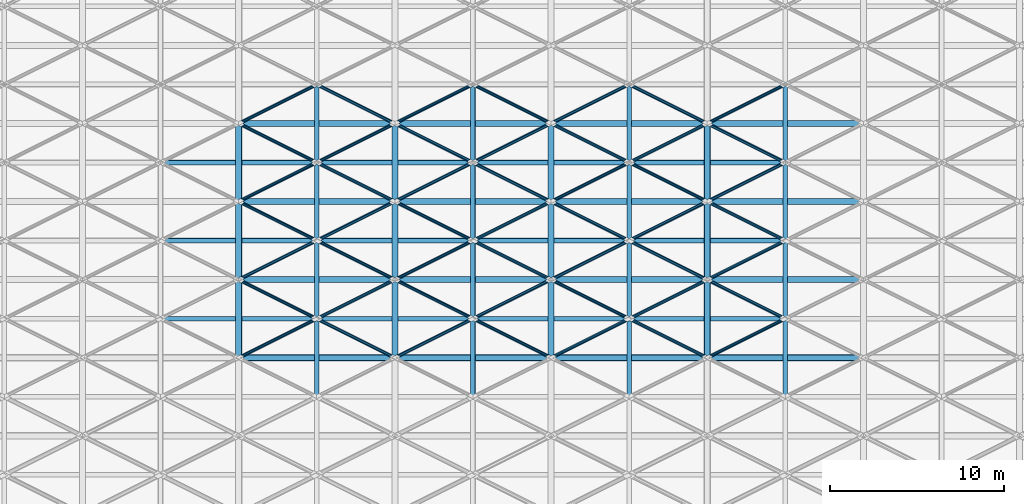
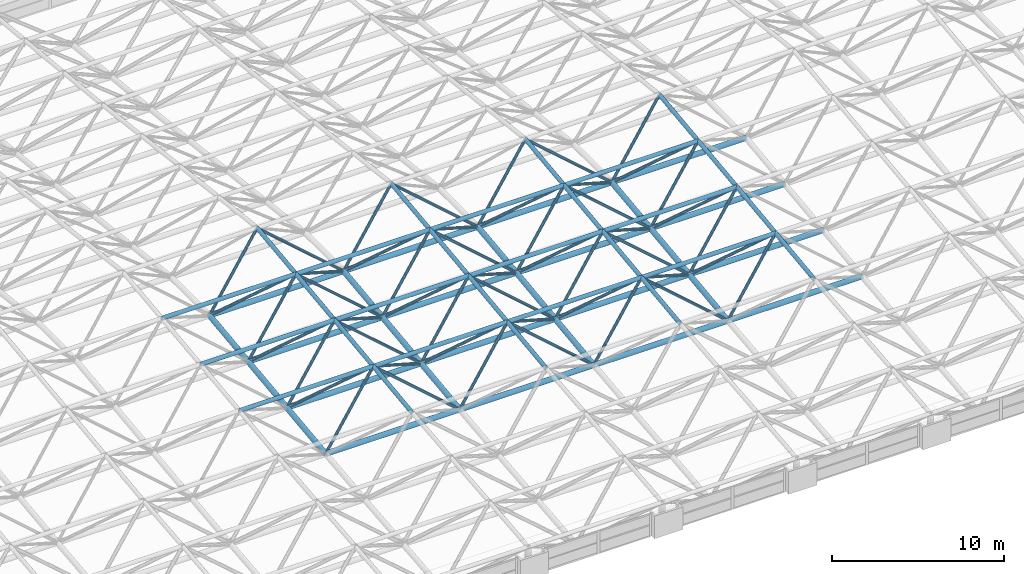
# One storey, part 7 of 53: 105 members.
"""IFC4 building model written with IfcOpenShell, lengths in metres."""

from ifc_helpers import new_model, si_unit, direction, frame, origin, origin_2d, place, context, subcontext, project, spatial, hollow_circle, extrude, material, material_profile, profile_set, type_object, element, save


model = new_model("IFC4")

# Units and contexts
model_context = context("Model", 3, precision=1e-05, world=origin(), true_north=direction((0.0, 1.0)))
body_context = subcontext(model_context, "Body", "Model", "MODEL_VIEW")
ifc_project = project(units=[si_unit("LENGTHUNIT", "METRE"), si_unit("AREAUNIT", "SQUARE_METRE"), si_unit("VOLUMEUNIT", "CUBIC_METRE"), si_unit("PLANEANGLEUNIT", "RADIAN"), si_unit("MASSUNIT", "GRAM", prefix="KILO")], contexts=[model_context])

# Site, building, storey
site_placement = place(None, origin())
site = spatial("IfcSite", under=ifc_project, at=site_placement, CompositionType="ELEMENT")
building_placement = place(site_placement, origin())
building = spatial("IfcBuilding", under=site, at=building_placement, Name="Aravalli Gate Trade Fair Centre", CompositionType="ELEMENT")
storey_placement = place(building_placement, frame((0.0, 0.0, 25.199951171875)))
storey = spatial("IfcBuildingStorey", under=building, at=storey_placement, Name="ROOF LEVEL 2", CompositionType="ELEMENT", Elevation=25.199951171875)

# Members
ifc_material = material(Name="Steel E350", Category="steel")
ifc_material_profile_1 = material_profile(ifc_material, hollow_circle(Radius=0.096923828125, WallThickness=0.00634765625, at=origin_2d()), Name="CHS 193.7x6.3")
ifc_profile_set_1 = profile_set([ifc_material_profile_1], Name="Steel E350")
member_type_1 = type_object("IfcMemberType", Name="CHS 193.7x6.3", PredefinedType="BRACE", material=ifc_profile_set_1)
for number, where, z_axis, x_axis, name in (
    (1, (42.0, 64.0, 3.699951171875), (0.786485839543, 0.393242919772, -0.476235267749), (-0.4472135955, 0.894427191, 0.0), "Space frame web diagonal D2A"),
    (2, (51.0, 64.0, 3.699951171875), (0.786485839543, 0.393242919772, -0.476235267749), (-0.4472135955, 0.894427191, 0.0), "Space frame web diagonal D2A"),
    (3, (60.0, 64.0, 3.699951171875), (0.786485839543, 0.393242919772, -0.476235267749), (-0.4472135955, 0.894427191, 0.0), "Space frame web diagonal D2A"),
    (4, (42.0, 64.0, 3.699951171875), (-0.786485839543, 0.393242919772, -0.476235267749), (-0.4472135955, -0.894427191, 0.0), "Space frame web diagonal D2B"),
    (5, (51.0, 64.0, 3.699951171875), (-0.786485839543, 0.393242919772, -0.476235267749), (-0.4472135955, -0.894427191, 0.0), "Space frame web diagonal D2B"),
    (6, (60.0, 64.0, 3.699951171875), (-0.786485839543, 0.393242919772, -0.476235267749), (-0.4472135955, -0.894427191, 0.0), "Space frame web diagonal D2B"),
    (7, (69.0, 64.0, 3.699951171875), (-0.786485839543, 0.393242919772, -0.476235267749), (-0.4472135955, -0.894427191, 0.0), "Space frame web diagonal D2B"),
):
    element("IfcMember", number, at=place(storey_placement, frame(where, z_axis=z_axis, x_axis=x_axis)), inside=storey, type_object=member_type_1, Name=name, PredefinedType="BRACE", context=body_context, shape_type="SweptSolid", body=[
        extrude(hollow_circle(Radius=0.096923828125, WallThickness=0.00634765625, at=origin_2d()), origin(), (0.0, 0.0, 1.0), 5.7216796875),
    ])
for number, where, z_axis, x_axis, name in (
    (8, (42.0, 64.0, 3.699951171875), (0.749609832162, -0.374804916081, -0.545533110277), (0.4472135955, 0.894427191, 0.0), "Space frame web diagonal D2C"),
    (9, (51.0, 64.0, 3.699951171875), (0.749609832162, -0.374804916081, -0.545533110277), (0.4472135955, 0.894427191, 0.0), "Space frame web diagonal D2C"),
    (10, (60.0, 64.0, 3.699951171875), (0.749609832162, -0.374804916081, -0.545533110277), (0.4472135955, 0.894427191, 0.0), "Space frame web diagonal D2C"),
    (11, (42.0, 68.5, 4.25), (0.749609832162, -0.374804916081, -0.545533110277), (0.4472135955, 0.894427191, 0.0), "Space frame web diagonal D2C"),
    (12, (51.0, 68.5, 4.25), (0.749609832162, -0.374804916081, -0.545533110277), (0.4472135955, 0.894427191, 0.0), "Space frame web diagonal D2C"),
    (13, (60.0, 68.5, 4.25), (0.749609832162, -0.374804916081, -0.545533110277), (0.4472135955, 0.894427191, 0.0), "Space frame web diagonal D2C"),
    (14, (42.0, 64.0, 3.699951171875), (-0.749609832162, -0.374804916081, -0.545533110277), (0.4472135955, -0.894427191, 0.0), "Space frame web diagonal D2D"),
    (15, (51.0, 64.0, 3.699951171875), (-0.749609832162, -0.374804916081, -0.545533110277), (0.4472135955, -0.894427191, 0.0), "Space frame web diagonal D2D"),
    (16, (60.0, 64.0, 3.699951171875), (-0.749609832162, -0.374804916081, -0.545533110277), (0.4472135955, -0.894427191, 0.0), "Space frame web diagonal D2D"),
    (17, (69.0, 64.0, 3.699951171875), (-0.749609832162, -0.374804916081, -0.545533110277), (0.4472135955, -0.894427191, 0.0), "Space frame web diagonal D2D"),
    (18, (42.0, 68.5, 4.25), (-0.749609832162, -0.374804916081, -0.545533110277), (0.4472135955, -0.894427191, 0.0), "Space frame web diagonal D2D"),
    (19, (51.0, 68.5, 4.25), (-0.749609832162, -0.374804916081, -0.545533110277), (0.4472135955, -0.894427191, 0.0), "Space frame web diagonal D2D"),
    (20, (60.0, 68.5, 4.25), (-0.749609832162, -0.374804916081, -0.545533110277), (0.4472135955, -0.894427191, 0.0), "Space frame web diagonal D2D"),
    (21, (69.0, 68.5, 4.25), (-0.749609832162, -0.374804916081, -0.545533110277), (0.4472135955, -0.894427191, 0.0), "Space frame web diagonal D2D"),
):
    element("IfcMember", number, at=place(storey_placement, frame(where, z_axis=z_axis, x_axis=x_axis)), inside=storey, type_object=member_type_1, Name=name, PredefinedType="BRACE", context=body_context, shape_type="SweptSolid", body=[
        extrude(hollow_circle(Radius=0.096923828125, WallThickness=0.00634765625, at=origin_2d()), origin(), (0.0, 0.0, 1.0), 6.003173828125),
    ])
for number, where, z_axis, x_axis, name in (
    (22, (42.0, 68.5, 4.25), (0.786150117051, 0.393075058526, -0.476927658901), (-0.4472135955, 0.894427191, 0.0), "Space frame web diagonal D3A"),
    (23, (51.0, 68.5, 4.25), (0.786150117051, 0.393075058526, -0.476927658901), (-0.4472135955, 0.894427191, 0.0), "Space frame web diagonal D3A"),
    (24, (60.0, 68.5, 4.25), (0.786150117051, 0.393075058526, -0.476927658901), (-0.4472135955, 0.894427191, 0.0), "Space frame web diagonal D3A"),
    (25, (42.0, 73.0, 4.7900390625), (0.786150117051, 0.393075058526, -0.476927658901), (-0.4472135955, 0.894427191, 0.0), "Space frame web diagonal D3A"),
    (26, (51.0, 73.0, 4.7900390625), (0.786150117051, 0.393075058526, -0.476927658901), (-0.4472135955, 0.894427191, 0.0), "Space frame web diagonal D3A"),
    (27, (60.0, 73.0, 4.7900390625), (0.786150117051, 0.393075058526, -0.476927658901), (-0.4472135955, 0.894427191, 0.0), "Space frame web diagonal D3A"),
    (28, (42.0, 68.5, 4.25), (-0.786150117051, 0.393075058526, -0.476927658901), (-0.4472135955, -0.894427191, 0.0), "Space frame web diagonal D3B"),
    (29, (51.0, 68.5, 4.25), (-0.786150117051, 0.393075058526, -0.476927658901), (-0.4472135955, -0.894427191, 0.0), "Space frame web diagonal D3B"),
    (30, (60.0, 68.5, 4.25), (-0.786150117051, 0.393075058526, -0.476927658901), (-0.4472135955, -0.894427191, 0.0), "Space frame web diagonal D3B"),
    (31, (69.0, 68.5, 4.25), (-0.786150117051, 0.393075058526, -0.476927658901), (-0.4472135955, -0.894427191, 0.0), "Space frame web diagonal D3B"),
    (32, (42.0, 73.0, 4.7900390625), (-0.786150117051, 0.393075058526, -0.476927658901), (-0.4472135955, -0.894427191, 0.0), "Space frame web diagonal D3B"),
    (33, (51.0, 73.0, 4.7900390625), (-0.786150117051, 0.393075058526, -0.476927658901), (-0.4472135955, -0.894427191, 0.0), "Space frame web diagonal D3B"),
    (34, (60.0, 73.0, 4.7900390625), (-0.786150117051, 0.393075058526, -0.476927658901), (-0.4472135955, -0.894427191, 0.0), "Space frame web diagonal D3B"),
    (35, (69.0, 73.0, 4.7900390625), (-0.786150117051, 0.393075058526, -0.476927658901), (-0.4472135955, -0.894427191, 0.0), "Space frame web diagonal D3B"),
):
    element("IfcMember", number, at=place(storey_placement, frame(where, z_axis=z_axis, x_axis=x_axis)), inside=storey, type_object=member_type_1, Name=name, PredefinedType="BRACE", context=body_context, shape_type="SweptSolid", body=[
        extrude(hollow_circle(Radius=0.096923828125, WallThickness=0.00634765625, at=origin_2d()), origin(), (0.0, 0.0, 1.0), 5.72412109375),
    ])
for number, where, z_axis, x_axis, name in (
    (36, (42.0, 73.0, 4.7900390625), (0.74994242606, -0.37497121303, -0.544961417895), (0.4472135955, 0.894427191, 0.0), "Space frame web diagonal D3C"),
    (37, (51.0, 73.0, 4.7900390625), (0.74994242606, -0.37497121303, -0.544961417895), (0.4472135955, 0.894427191, 0.0), "Space frame web diagonal D3C"),
    (38, (60.0, 73.0, 4.7900390625), (0.74994242606, -0.37497121303, -0.544961417895), (0.4472135955, 0.894427191, 0.0), "Space frame web diagonal D3C"),
    (39, (42.0, 77.5, 5.330078125), (0.74994242606, -0.37497121303, -0.544961417895), (0.4472135955, 0.894427191, 0.0), "Space frame web diagonal D3C"),
    (40, (51.0, 77.5, 5.330078125), (0.74994242606, -0.37497121303, -0.544961417895), (0.4472135955, 0.894427191, 0.0), "Space frame web diagonal D3C"),
    (41, (60.0, 77.5, 5.330078125), (0.74994242606, -0.37497121303, -0.544961417895), (0.4472135955, 0.894427191, 0.0), "Space frame web diagonal D3C"),
    (42, (42.0, 73.0, 4.7900390625), (-0.74994242606, -0.37497121303, -0.544961417895), (0.4472135955, -0.894427191, 0.0), "Space frame web diagonal D3D"),
    (43, (51.0, 73.0, 4.7900390625), (-0.74994242606, -0.37497121303, -0.544961417895), (0.4472135955, -0.894427191, 0.0), "Space frame web diagonal D3D"),
    (44, (60.0, 73.0, 4.7900390625), (-0.74994242606, -0.37497121303, -0.544961417895), (0.4472135955, -0.894427191, 0.0), "Space frame web diagonal D3D"),
    (45, (69.0, 73.0, 4.7900390625), (-0.74994242606, -0.37497121303, -0.544961417895), (0.4472135955, -0.894427191, 0.0), "Space frame web diagonal D3D"),
    (46, (42.0, 77.5, 5.330078125), (-0.74994242606, -0.37497121303, -0.544961417895), (0.4472135955, -0.894427191, 0.0), "Space frame web diagonal D3D"),
    (47, (51.0, 77.5, 5.330078125), (-0.74994242606, -0.37497121303, -0.544961417895), (0.4472135955, -0.894427191, 0.0), "Space frame web diagonal D3D"),
    (48, (60.0, 77.5, 5.330078125), (-0.74994242606, -0.37497121303, -0.544961417895), (0.4472135955, -0.894427191, 0.0), "Space frame web diagonal D3D"),
    (49, (69.0, 77.5, 5.330078125), (-0.74994242606, -0.37497121303, -0.544961417895), (0.4472135955, -0.894427191, 0.0), "Space frame web diagonal D3D"),
):
    element("IfcMember", number, at=place(storey_placement, frame(where, z_axis=z_axis, x_axis=x_axis)), inside=storey, type_object=member_type_1, Name=name, PredefinedType="BRACE", context=body_context, shape_type="SweptSolid", body=[
        extrude(hollow_circle(Radius=0.096923828125, WallThickness=0.00634765625, at=origin_2d()), origin(), (0.0, 0.0, 1.0), 6.00048828125),
    ])
ifc_material_profile_2 = material_profile(ifc_material, hollow_circle(Radius=0.136474609375, WallThickness=0.010009765625, at=origin_2d()), Name="CHS 273.1x10")
ifc_profile_set_2 = profile_set([ifc_material_profile_2], Name="Steel E350")
member_type_2 = type_object("IfcMemberType", Name="CHS 273.1x10", PredefinedType="CHORD", material=ifc_profile_set_2)
for number, where, z_axis, x_axis, name in (
    (50, (33.0, 64.0, 3.699951171875), (1.0, 0.0, 0.0), (0.0, 1.0, 0.0), "Space frame top chord along the lines T2"),
    (51, (42.0, 64.0, 3.699951171875), (1.0, 0.0, 0.0), (0.0, 1.0, 0.0), "Space frame top chord along the lines T2"),
    (52, (51.0, 64.0, 3.699951171875), (1.0, 0.0, 0.0), (0.0, 1.0, 0.0), "Space frame top chord along the lines T2"),
    (53, (60.0, 64.0, 3.699951171875), (1.0, 0.0, 0.0), (0.0, 1.0, 0.0), "Space frame top chord along the lines T2"),
    (54, (33.0, 68.5, 4.25), (1.0, 0.0, 0.0), (0.0, 1.0, 0.0), "Space frame top chord along the lines T3"),
    (55, (42.0, 68.5, 4.25), (1.0, 0.0, 0.0), (0.0, 1.0, 0.0), "Space frame top chord along the lines T3"),
    (56, (51.0, 68.5, 4.25), (1.0, 0.0, 0.0), (0.0, 1.0, 0.0), "Space frame top chord along the lines T3"),
    (57, (60.0, 68.5, 4.25), (1.0, 0.0, 0.0), (0.0, 1.0, 0.0), "Space frame top chord along the lines T3"),
    (58, (33.0, 73.0, 4.7900390625), (1.0, 0.0, 0.0), (0.0, 1.0, 0.0), "Space frame top chord along the lines T3"),
    (59, (42.0, 73.0, 4.7900390625), (1.0, 0.0, 0.0), (0.0, 1.0, 0.0), "Space frame top chord along the lines T3"),
    (60, (51.0, 73.0, 4.7900390625), (1.0, 0.0, 0.0), (0.0, 1.0, 0.0), "Space frame top chord along the lines T3"),
    (61, (60.0, 73.0, 4.7900390625), (1.0, 0.0, 0.0), (0.0, 1.0, 0.0), "Space frame top chord along the lines T3"),
):
    element("IfcMember", number, at=place(storey_placement, frame(where, z_axis=z_axis, x_axis=x_axis)), inside=storey, type_object=member_type_2, Name=name, PredefinedType="CHORD", context=body_context, shape_type="SweptSolid", body=[
        extrude(hollow_circle(Radius=0.136474609375, WallThickness=0.010009765625, at=origin_2d()), origin(), (0.0, 0.0, 1.0), 9.0),
    ])
for number, where, z_axis, x_axis, name in (
    (62, (42.0, 59.5, 3.150146484375), (0.0, 0.992618705116, 0.12127698155), (-1.0, 0.0, 0.0), "Space frame top chord across the vault Y2"),
    (63, (42.0, 64.0, 3.699951171875), (0.0, 0.992612220818, 0.121330041965), (-1.0, 0.0, 0.0), "Space frame top chord across the vault Y2"),
    (64, (51.0, 59.5, 3.150146484375), (0.0, 0.992618705116, 0.12127698155), (-1.0, 0.0, 0.0), "Space frame top chord across the vault Y2"),
    (65, (51.0, 64.0, 3.699951171875), (0.0, 0.992612220818, 0.121330041965), (-1.0, 0.0, 0.0), "Space frame top chord across the vault Y2"),
    (66, (60.0, 59.5, 3.150146484375), (0.0, 0.992618705116, 0.12127698155), (-1.0, 0.0, 0.0), "Space frame top chord across the vault Y2"),
    (67, (60.0, 64.0, 3.699951171875), (0.0, 0.992612220818, 0.121330041965), (-1.0, 0.0, 0.0), "Space frame top chord across the vault Y2"),
    (68, (69.0, 59.5, 3.150146484375), (0.0, 0.992618705116, 0.12127698155), (-1.0, 0.0, 0.0), "Space frame top chord across the vault Y2"),
    (69, (69.0, 64.0, 3.699951171875), (0.0, 0.992612220818, 0.121330041965), (-1.0, 0.0, 0.0), "Space frame top chord across the vault Y2"),
):
    element("IfcMember", number, at=place(storey_placement, frame(where, z_axis=z_axis, x_axis=x_axis)), inside=storey, type_object=member_type_2, Name=name, PredefinedType="CHORD", context=body_context, shape_type="SweptSolid", body=[
        extrude(hollow_circle(Radius=0.136474609375, WallThickness=0.010009765625, at=origin_2d()), origin(), (0.0, 0.0, 1.0), 4.533447265625),
    ])
for number, where, z_axis, x_axis, name in (
    (70, (42.0, 68.5, 4.25), (0.0, 0.992875818887, 0.11915371698), (-1.0, 0.0, 0.0), "Space frame top chord across the vault Y3"),
    (71, (42.0, 73.0, 4.7900390625), (0.0, 0.992875818887, 0.11915371698), (-1.0, 0.0, 0.0), "Space frame top chord across the vault Y3"),
    (72, (51.0, 68.5, 4.25), (0.0, 0.992875818887, 0.11915371698), (-1.0, 0.0, 0.0), "Space frame top chord across the vault Y3"),
    (73, (51.0, 73.0, 4.7900390625), (0.0, 0.992875818887, 0.11915371698), (-1.0, 0.0, 0.0), "Space frame top chord across the vault Y3"),
    (74, (60.0, 68.5, 4.25), (0.0, 0.992875818887, 0.11915371698), (-1.0, 0.0, 0.0), "Space frame top chord across the vault Y3"),
    (75, (60.0, 73.0, 4.7900390625), (0.0, 0.992875818887, 0.11915371698), (-1.0, 0.0, 0.0), "Space frame top chord across the vault Y3"),
    (76, (69.0, 68.5, 4.25), (0.0, 0.992875818887, 0.11915371698), (-1.0, 0.0, 0.0), "Space frame top chord across the vault Y3"),
    (77, (69.0, 73.0, 4.7900390625), (0.0, 0.992875818887, 0.11915371698), (-1.0, 0.0, 0.0), "Space frame top chord across the vault Y3"),
):
    element("IfcMember", number, at=place(storey_placement, frame(where, z_axis=z_axis, x_axis=x_axis)), inside=storey, type_object=member_type_2, Name=name, PredefinedType="CHORD", context=body_context, shape_type="SweptSolid", body=[
        extrude(hollow_circle(Radius=0.136474609375, WallThickness=0.010009765625, at=origin_2d()), origin(), (0.0, 0.0, 1.0), 4.5322265625),
    ])
ifc_material_profile_3 = material_profile(ifc_material, hollow_circle(Radius=0.177734375, WallThickness=0.010009765625, at=origin_2d()), Name="CHS 355.6x10")
ifc_profile_set_3 = profile_set([ifc_material_profile_3], Name="Steel E350")
member_type_3 = type_object("IfcMemberType", Name="CHS 355.6x10", PredefinedType="CHORD", material=ifc_profile_set_3)
for number, where, z_axis, x_axis, name in (
    (78, (37.5, 61.75, 0.425048828125), (1.0, 0.0, 0.0), (0.0, 1.0, 0.0), "Space frame bottom chord along the lines B2"),
    (79, (46.5, 61.75, 0.425048828125), (1.0, 0.0, 0.0), (0.0, 1.0, 0.0), "Space frame bottom chord along the lines B2"),
    (80, (55.5, 61.75, 0.425048828125), (1.0, 0.0, 0.0), (0.0, 1.0, 0.0), "Space frame bottom chord along the lines B2"),
    (81, (64.5, 61.75, 0.425048828125), (1.0, 0.0, 0.0), (0.0, 1.0, 0.0), "Space frame bottom chord along the lines B2"),
    (82, (37.5, 66.25, 0.97509765625), (1.0, 0.0, 0.0), (0.0, 1.0, 0.0), "Space frame bottom chord along the lines B2"),
    (83, (46.5, 66.25, 0.97509765625), (1.0, 0.0, 0.0), (0.0, 1.0, 0.0), "Space frame bottom chord along the lines B2"),
    (84, (55.5, 66.25, 0.97509765625), (1.0, 0.0, 0.0), (0.0, 1.0, 0.0), "Space frame bottom chord along the lines B2"),
    (85, (64.5, 66.25, 0.97509765625), (1.0, 0.0, 0.0), (0.0, 1.0, 0.0), "Space frame bottom chord along the lines B2"),
    (86, (37.5, 70.75, 1.52001953125), (1.0, 0.0, 0.0), (0.0, 1.0, 0.0), "Space frame bottom chord along the lines B3"),
    (87, (46.5, 70.75, 1.52001953125), (1.0, 0.0, 0.0), (0.0, 1.0, 0.0), "Space frame bottom chord along the lines B3"),
    (88, (55.5, 70.75, 1.52001953125), (1.0, 0.0, 0.0), (0.0, 1.0, 0.0), "Space frame bottom chord along the lines B3"),
    (89, (64.5, 70.75, 1.52001953125), (1.0, 0.0, 0.0), (0.0, 1.0, 0.0), "Space frame bottom chord along the lines B3"),
    (90, (37.5, 75.25, 2.06005859375), (1.0, 0.0, 0.0), (0.0, 1.0, 0.0), "Space frame bottom chord along the lines B3"),
    (91, (46.5, 75.25, 2.06005859375), (1.0, 0.0, 0.0), (0.0, 1.0, 0.0), "Space frame bottom chord along the lines B3"),
    (92, (55.5, 75.25, 2.06005859375), (1.0, 0.0, 0.0), (0.0, 1.0, 0.0), "Space frame bottom chord along the lines B3"),
    (93, (64.5, 75.25, 2.06005859375), (1.0, 0.0, 0.0), (0.0, 1.0, 0.0), "Space frame bottom chord along the lines B3"),
):
    element("IfcMember", number, at=place(storey_placement, frame(where, z_axis=z_axis, x_axis=x_axis)), inside=storey, type_object=member_type_3, Name=name, PredefinedType="CHORD", context=body_context, shape_type="SweptSolid", body=[
        extrude(hollow_circle(Radius=0.177734375, WallThickness=0.010009765625, at=origin_2d()), origin(), (0.0, 0.0, 1.0), 9.0),
    ])
for number, where, z_axis, x_axis, name in (
    (94, (37.5, 61.75, 0.425048828125), (0.0, 0.992612220818, 0.121330041965), (-1.0, 0.0, 0.0), "Space frame bottom chord across the vault C3"),
    (95, (46.5, 61.75, 0.425048828125), (0.0, 0.992612220818, 0.121330041965), (-1.0, 0.0, 0.0), "Space frame bottom chord across the vault C3"),
    (96, (55.5, 61.75, 0.425048828125), (0.0, 0.992612220818, 0.121330041965), (-1.0, 0.0, 0.0), "Space frame bottom chord across the vault C3"),
    (97, (64.5, 61.75, 0.425048828125), (0.0, 0.992612220818, 0.121330041965), (-1.0, 0.0, 0.0), "Space frame bottom chord across the vault C3"),
):
    element("IfcMember", number, at=place(storey_placement, frame(where, z_axis=z_axis, x_axis=x_axis)), inside=storey, type_object=member_type_3, Name=name, PredefinedType="CHORD", context=body_context, shape_type="SweptSolid", body=[
        extrude(hollow_circle(Radius=0.177734375, WallThickness=0.010009765625, at=origin_2d()), origin(), (0.0, 0.0, 1.0), 4.533447265625),
    ])
for number, where, z_axis, x_axis, name in (
    (98, (37.5, 66.25, 0.97509765625), (0.0, 0.992747813002, 0.120215555481), (-1.0, 0.0, 0.0), "Space frame bottom chord across the vault C4"),
    (99, (46.5, 66.25, 0.97509765625), (0.0, 0.992747813002, 0.120215555481), (-1.0, 0.0, 0.0), "Space frame bottom chord across the vault C4"),
    (100, (55.5, 66.25, 0.97509765625), (0.0, 0.992747813002, 0.120215555481), (-1.0, 0.0, 0.0), "Space frame bottom chord across the vault C4"),
    (101, (64.5, 66.25, 0.97509765625), (0.0, 0.992747813002, 0.120215555481), (-1.0, 0.0, 0.0), "Space frame bottom chord across the vault C4"),
):
    element("IfcMember", number, at=place(storey_placement, frame(where, z_axis=z_axis, x_axis=x_axis)), inside=storey, type_object=member_type_3, Name=name, PredefinedType="CHORD", context=body_context, shape_type="SweptSolid", body=[
        extrude(hollow_circle(Radius=0.177734375, WallThickness=0.010009765625, at=origin_2d()), origin(), (0.0, 0.0, 1.0), 4.532958984375),
    ])
for number, where, z_axis, x_axis, name in (
    (102, (37.5, 70.75, 1.52001953125), (0.0, 0.992875818887, 0.11915371698), (-1.0, 0.0, 0.0), "Space frame bottom chord across the vault C5"),
    (103, (46.5, 70.75, 1.52001953125), (0.0, 0.992875818887, 0.11915371698), (-1.0, 0.0, 0.0), "Space frame bottom chord across the vault C5"),
    (104, (55.5, 70.75, 1.52001953125), (0.0, 0.992875818887, 0.11915371698), (-1.0, 0.0, 0.0), "Space frame bottom chord across the vault C5"),
    (105, (64.5, 70.75, 1.52001953125), (0.0, 0.992875818887, 0.11915371698), (-1.0, 0.0, 0.0), "Space frame bottom chord across the vault C5"),
):
    element("IfcMember", number, at=place(storey_placement, frame(where, z_axis=z_axis, x_axis=x_axis)), inside=storey, type_object=member_type_3, Name=name, PredefinedType="CHORD", context=body_context, shape_type="SweptSolid", body=[
        extrude(hollow_circle(Radius=0.177734375, WallThickness=0.010009765625, at=origin_2d()), origin(), (0.0, 0.0, 1.0), 4.5322265625),
    ])

save(model, "model.ifc")
